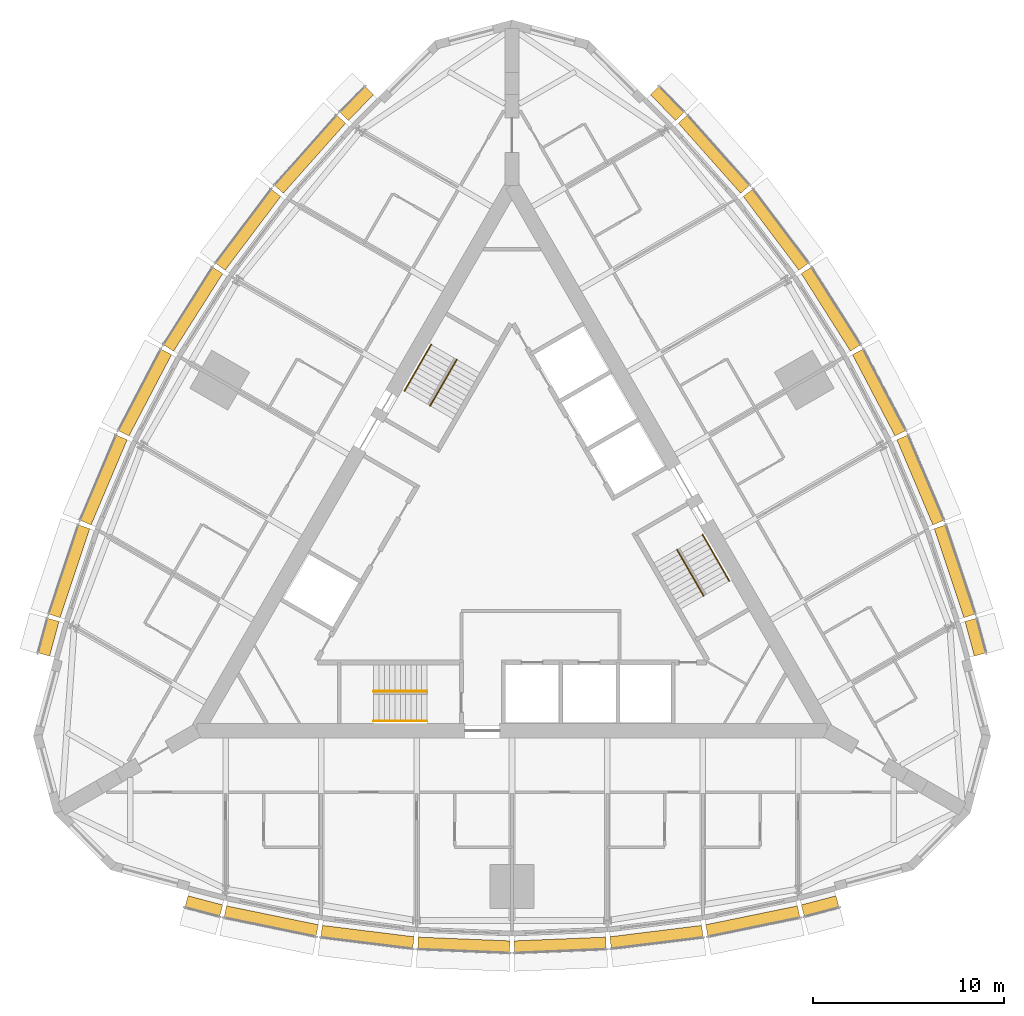
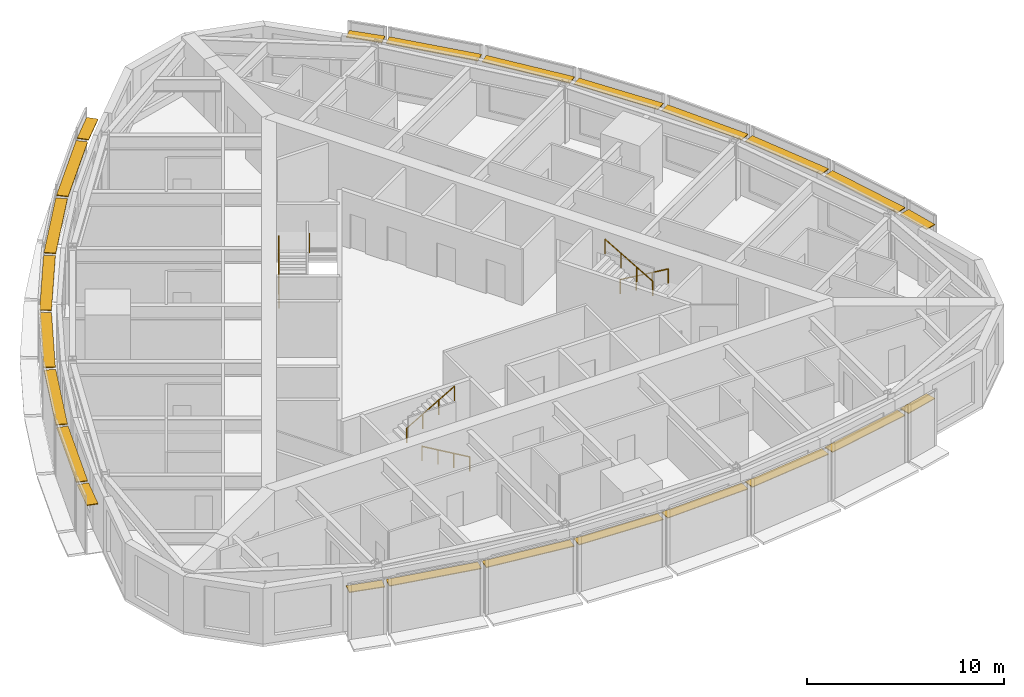
# One storey, part 15 of 15: 24 shading devices, 6 railings.
"""IFC4 building model written with IfcOpenShell, lengths in metres."""

from ifc_helpers import new_model, si_unit, direction, frame, origin, origin_2d, place, context, subcontext, project, spatial, rectangle, circle, extrude, material, type_object, element, save


model = new_model("IFC4")

# Units and contexts
model_context = context("Model", 3, precision=1e-05, world=origin(), true_north=direction((0.0, 1.0)))
body_context = subcontext(model_context, "Body", "Model", "MODEL_VIEW")
ifc_project = project(units=[si_unit("LENGTHUNIT", "METRE"), si_unit("AREAUNIT", "SQUARE_METRE"), si_unit("VOLUMEUNIT", "CUBIC_METRE"), si_unit("PLANEANGLEUNIT", "RADIAN"), si_unit("MASSUNIT", "GRAM", prefix="KILO")], contexts=[model_context])

# Site, building, storey
site_placement = place(None, origin())
site = spatial("IfcSite", under=ifc_project, at=site_placement, CompositionType="ELEMENT")
building_placement = place(site_placement, origin())
building = spatial("IfcBuilding", under=site, at=building_placement, Name="Trikona Tower", CompositionType="ELEMENT")
storey_placement = place(building_placement, frame((0.0, 0.0, 226.10009765625)))
storey = spatial("IfcBuildingStorey", under=building, at=storey_placement, Name="L60", CompositionType="ELEMENT", Elevation=226.10009765625)

# Shading devices
ifc_material_1 = material(Name="Aluminium louvre blade, pale anodised", Category="aluminium")
shading_device_type = type_object("IfcShadingDeviceType", Name="Cavity louvre 600", PredefinedType="USERDEFINED", material=ifc_material_1)
shading_device_1_placement = place(storey_placement, frame((-16.14404296875, -18.707763671875, 2.97509765625), z_axis=(0.0, 0.0, 1.0), x_axis=(0.966993038714, -0.254802792527, 0.0)))
element("IfcShadingDevice", 1, at=shading_device_1_placement, inside=storey, type_object=shading_device_type, Name="Cavity louvre L60-00", ObjectType="LOUVRE", PredefinedType="USERDEFINED", context=body_context, shape_type="SweptSolid", body=[
    extrude(rectangle(XDim=1.87841796875, YDim=0.60009765625, at=origin_2d()), origin(), (0.0, 0.0, 1.0), 0.050048828125),
])
shading_device_2_placement = place(storey_placement, frame((-12.614013671875, -19.492919921875, 2.97509765625), z_axis=(0.0, 0.0, 1.0), x_axis=(0.979457514864, -0.201650629992, 0.0)))
element("IfcShadingDevice", 2, at=shading_device_2_placement, inside=storey, type_object=shading_device_type, Name="Cavity louvre L60-01", ObjectType="LOUVRE", PredefinedType="USERDEFINED", context=body_context, shape_type="SweptSolid", body=[
    extrude(rectangle(XDim=4.914794921875, YDim=0.60009765625, at=origin_2d()), origin(), (0.0, 0.0, 1.0), 0.050048828125),
])
shading_device_3_placement = place(storey_placement, frame((-7.5693359375, -20.323974609375, 2.97509765625), z_axis=(0.0, 0.0, 1.0), x_axis=(0.992455266199, -0.122607277901, 0.0)))
element("IfcShadingDevice", 3, at=shading_device_3_placement, inside=storey, type_object=shading_device_type, Name="Cavity louvre L60-02", ObjectType="LOUVRE", PredefinedType="USERDEFINED", context=body_context, shape_type="SweptSolid", body=[
    extrude(rectangle(XDim=4.847900390625, YDim=0.60009765625, at=origin_2d()), origin(), (0.0, 0.0, 1.0), 0.050048828125),
])
for number, where, z_axis, x_axis, name in (
    (4, (-2.523193359375, -20.739501953125, 2.97509765625), (0.0, 0.0, 1.0), (0.999153186307, -0.041144991109, 0.0), "Cavity louvre L60-03"),
    (5, (2.523193359375, -20.739501953125, 2.97509765625), (0.0, 0.0, 1.0), (0.999153186307, 0.041144991109, 0.0), "Cavity louvre L60-04"),
):
    element("IfcShadingDevice", number, at=place(storey_placement, frame(where, z_axis=z_axis, x_axis=x_axis)), inside=storey, type_object=shading_device_type, Name=name, ObjectType="LOUVRE", PredefinedType="USERDEFINED", context=body_context, shape_type="SweptSolid", body=[
        extrude(rectangle(XDim=4.814208984375, YDim=0.60009765625, at=origin_2d()), origin(), (0.0, 0.0, 1.0), 0.050048828125),
    ])
shading_device_4_placement = place(storey_placement, frame((7.5693359375, -20.323974609375, 2.97509765625), z_axis=(0.0, 0.0, 1.0), x_axis=(0.992455266199, 0.122607277901, 0.0)))
element("IfcShadingDevice", 6, at=shading_device_4_placement, inside=storey, type_object=shading_device_type, Name="Cavity louvre L60-05", ObjectType="LOUVRE", PredefinedType="USERDEFINED", context=body_context, shape_type="SweptSolid", body=[
    extrude(rectangle(XDim=4.847900390625, YDim=0.60009765625, at=origin_2d()), origin(), (0.0, 0.0, 1.0), 0.050048828125),
])
shading_device_5_placement = place(storey_placement, frame((12.614013671875, -19.492919921875, 2.97509765625), z_axis=(0.0, 0.0, 1.0), x_axis=(0.979457514864, 0.201650629992, 0.0)))
element("IfcShadingDevice", 7, at=shading_device_5_placement, inside=storey, type_object=shading_device_type, Name="Cavity louvre L60-06", ObjectType="LOUVRE", PredefinedType="USERDEFINED", context=body_context, shape_type="SweptSolid", body=[
    extrude(rectangle(XDim=4.914794921875, YDim=0.60009765625, at=origin_2d()), origin(), (0.0, 0.0, 1.0), 0.050048828125),
])
for number, where, z_axis, x_axis, name in (
    (8, (16.14404296875, -18.707763671875, 2.97509765625), (0.0, 0.0, 1.0), (0.966993038714, 0.254802792527, 0.0), "Cavity louvre L60-07"),
    (9, (24.273193359375, -4.627197265625, 2.97509765625), (0.0, 0.0, 1.0), (-0.262822408229, 0.964844226667, 0.0), "Cavity louvre L60-12"),
):
    element("IfcShadingDevice", number, at=place(storey_placement, frame(where, z_axis=z_axis, x_axis=x_axis)), inside=storey, type_object=shading_device_type, Name=name, ObjectType="LOUVRE", PredefinedType="USERDEFINED", context=body_context, shape_type="SweptSolid", body=[
        extrude(rectangle(XDim=1.87841796875, YDim=0.60009765625, at=origin_2d()), origin(), (0.0, 0.0, 1.0), 0.050048828125),
    ])
shading_device_6_placement = place(storey_placement, frame((23.1884765625, -1.177490234375, 2.97509765625), z_axis=(0.0, 0.0, 1.0), x_axis=(-0.315092532747, 0.949060954737, 0.0)))
element("IfcShadingDevice", 10, at=shading_device_6_placement, inside=storey, type_object=shading_device_type, Name="Cavity louvre L60-13", ObjectType="LOUVRE", PredefinedType="USERDEFINED", context=body_context, shape_type="SweptSolid", body=[
    extrude(rectangle(XDim=4.914794921875, YDim=0.60009765625, at=origin_2d()), origin(), (0.0, 0.0, 1.0), 0.050048828125),
])
shading_device_7_placement = place(storey_placement, frame((21.385498046875, 3.606689453125, 2.97509765625), z_axis=(0.0, 0.0, 1.0), x_axis=(-0.390051437015, 0.920793069306, 0.0)))
element("IfcShadingDevice", 11, at=shading_device_7_placement, inside=storey, type_object=shading_device_type, Name="Cavity louvre L60-14", ObjectType="LOUVRE", PredefinedType="USERDEFINED", context=body_context, shape_type="SweptSolid", body=[
    extrude(rectangle(XDim=4.847900390625, YDim=0.60009765625, at=origin_2d()), origin(), (0.0, 0.0, 1.0), 0.050048828125),
])
for number, where, z_axis, x_axis, name in (
    (12, (19.222412109375, 8.1845703125, 2.97509765625), (0.0, 0.0, 1.0), (-0.463951716224, 0.885860488459, 0.0), "Cavity louvre L60-15"),
    (13, (16.69921875, 12.554931640625, 2.97509765625), (0.0, 0.0, 1.0), (-0.535204777743, 0.844722348397, 0.0), "Cavity louvre L60-16"),
):
    element("IfcShadingDevice", number, at=place(storey_placement, frame(where, z_axis=z_axis, x_axis=x_axis)), inside=storey, type_object=shading_device_type, Name=name, ObjectType="LOUVRE", PredefinedType="USERDEFINED", context=body_context, shape_type="SweptSolid", body=[
        extrude(rectangle(XDim=4.814208984375, YDim=0.60009765625, at=origin_2d()), origin(), (0.0, 0.0, 1.0), 0.050048828125),
    ])
shading_device_8_placement = place(storey_placement, frame((13.81640625, 16.717041015625, 2.97509765625), z_axis=(0.0, 0.0, 1.0), x_axis=(-0.602401684924, 0.798193090674, 0.0)))
element("IfcShadingDevice", 14, at=shading_device_8_placement, inside=storey, type_object=shading_device_type, Name="Cavity louvre L60-17", ObjectType="LOUVRE", PredefinedType="USERDEFINED", context=body_context, shape_type="SweptSolid", body=[
    extrude(rectangle(XDim=4.847900390625, YDim=0.60009765625, at=origin_2d()), origin(), (0.0, 0.0, 1.0), 0.050048828125),
])
shading_device_9_placement = place(storey_placement, frame((10.574462890625, 20.67041015625, 2.97509765625), z_axis=(0.0, 0.0, 1.0), x_axis=(-0.664367239113, 0.747406296196, 0.0)))
element("IfcShadingDevice", 15, at=shading_device_9_placement, inside=storey, type_object=shading_device_type, Name="Cavity louvre L60-18", ObjectType="LOUVRE", PredefinedType="USERDEFINED", context=body_context, shape_type="SweptSolid", body=[
    extrude(rectangle(XDim=4.914794921875, YDim=0.60009765625, at=origin_2d()), origin(), (0.0, 0.0, 1.0), 0.050048828125),
])
for number, where, z_axis, x_axis, name in (
    (16, (8.12939453125, 23.3349609375, 2.97509765625), (0.0, 0.0, 1.0), (-0.704151057285, 0.710050201412, 0.0), "Cavity louvre L60-19"),
    (17, (-8.12939453125, 23.3349609375, 2.97509765625), (0.0, 0.0, 1.0), (-0.704151057285, -0.710050201412, 0.0), "Cavity louvre L60-24"),
):
    element("IfcShadingDevice", number, at=place(storey_placement, frame(where, z_axis=z_axis, x_axis=x_axis)), inside=storey, type_object=shading_device_type, Name=name, ObjectType="LOUVRE", PredefinedType="USERDEFINED", context=body_context, shape_type="SweptSolid", body=[
        extrude(rectangle(XDim=1.87841796875, YDim=0.60009765625, at=origin_2d()), origin(), (0.0, 0.0, 1.0), 0.050048828125),
    ])
shading_device_10_placement = place(storey_placement, frame((-10.574462890625, 20.67041015625, 2.97509765625), z_axis=(0.0, 0.0, 1.0), x_axis=(-0.664367239113, -0.747406296196, 0.0)))
element("IfcShadingDevice", 18, at=shading_device_10_placement, inside=storey, type_object=shading_device_type, Name="Cavity louvre L60-25", ObjectType="LOUVRE", PredefinedType="USERDEFINED", context=body_context, shape_type="SweptSolid", body=[
    extrude(rectangle(XDim=4.914794921875, YDim=0.60009765625, at=origin_2d()), origin(), (0.0, 0.0, 1.0), 0.050048828125),
])
shading_device_11_placement = place(storey_placement, frame((-13.81640625, 16.717041015625, 2.97509765625), z_axis=(0.0, 0.0, 1.0), x_axis=(-0.602401684924, -0.798193090674, 0.0)))
element("IfcShadingDevice", 19, at=shading_device_11_placement, inside=storey, type_object=shading_device_type, Name="Cavity louvre L60-26", ObjectType="LOUVRE", PredefinedType="USERDEFINED", context=body_context, shape_type="SweptSolid", body=[
    extrude(rectangle(XDim=4.847900390625, YDim=0.60009765625, at=origin_2d()), origin(), (0.0, 0.0, 1.0), 0.050048828125),
])
for number, where, z_axis, x_axis, name in (
    (20, (-16.69921875, 12.554931640625, 2.97509765625), (0.0, 0.0, 1.0), (-0.535204777743, -0.844722348397, 0.0), "Cavity louvre L60-27"),
    (21, (-19.222412109375, 8.1845703125, 2.97509765625), (0.0, 0.0, 1.0), (-0.463951716224, -0.885860488459, 0.0), "Cavity louvre L60-28"),
):
    element("IfcShadingDevice", number, at=place(storey_placement, frame(where, z_axis=z_axis, x_axis=x_axis)), inside=storey, type_object=shading_device_type, Name=name, ObjectType="LOUVRE", PredefinedType="USERDEFINED", context=body_context, shape_type="SweptSolid", body=[
        extrude(rectangle(XDim=4.814208984375, YDim=0.60009765625, at=origin_2d()), origin(), (0.0, 0.0, 1.0), 0.050048828125),
    ])
shading_device_12_placement = place(storey_placement, frame((-21.385498046875, 3.606689453125, 2.97509765625), z_axis=(0.0, 0.0, 1.0), x_axis=(-0.390051437015, -0.920793069306, 0.0)))
element("IfcShadingDevice", 22, at=shading_device_12_placement, inside=storey, type_object=shading_device_type, Name="Cavity louvre L60-29", ObjectType="LOUVRE", PredefinedType="USERDEFINED", context=body_context, shape_type="SweptSolid", body=[
    extrude(rectangle(XDim=4.847900390625, YDim=0.60009765625, at=origin_2d()), origin(), (0.0, 0.0, 1.0), 0.050048828125),
])
shading_device_13_placement = place(storey_placement, frame((-23.1884765625, -1.177490234375, 2.97509765625), z_axis=(0.0, 0.0, 1.0), x_axis=(-0.315092532747, -0.949060954737, 0.0)))
element("IfcShadingDevice", 23, at=shading_device_13_placement, inside=storey, type_object=shading_device_type, Name="Cavity louvre L60-30", ObjectType="LOUVRE", PredefinedType="USERDEFINED", context=body_context, shape_type="SweptSolid", body=[
    extrude(rectangle(XDim=4.914794921875, YDim=0.60009765625, at=origin_2d()), origin(), (0.0, 0.0, 1.0), 0.050048828125),
])
shading_device_14_placement = place(storey_placement, frame((-24.273193359375, -4.627197265625, 2.97509765625), z_axis=(0.0, 0.0, 1.0), x_axis=(-0.262822408229, -0.964844226667, 0.0)))
element("IfcShadingDevice", 24, at=shading_device_14_placement, inside=storey, type_object=shading_device_type, Name="Cavity louvre L60-31", ObjectType="LOUVRE", PredefinedType="USERDEFINED", context=body_context, shape_type="SweptSolid", body=[
    extrude(rectangle(XDim=1.87841796875, YDim=0.60009765625, at=origin_2d()), origin(), (0.0, 0.0, 1.0), 0.050048828125),
])

# Railings
ifc_material_2 = material(Name="Stainless steel handrail", Category="steel")
railing_type = type_object("IfcRailingType", Name="Stair handrail", PredefinedType="HANDRAIL", material=ifc_material_2)
railing_1_placement = place(storey_placement, frame((-4.449951171875, -9.016357421875, 0.16357421875)))
element("IfcRailing", 25, at=railing_1_placement, inside=storey, type_object=railing_type, Name="Stair handrail A L60 1", PredefinedType="HANDRAIL", context=body_context, shape_type="SweptSolid", body=[
    extrude(circle(Radius=0.02392578125, at=origin_2d()), frame((0.0, 0.0, 0.8759765625), z_axis=(-0.863393664356, 0.0, 0.504530851732), x_axis=(0.0, -1.0, 0.0)), (0.0, 0.0, 1.0), 3.2431640625),
    extrude(circle(Radius=0.02099609375, at=origin_2d()), origin(), (0.0, 0.0, 1.0), 0.851806640625),
    extrude(circle(Radius=0.02099609375, at=origin_2d()), frame((-0.933349609375, 0.0, 0.54541015625)), (0.0, 0.0, 1.0), 0.851806640625),
    extrude(circle(Radius=0.02099609375, at=origin_2d()), frame((-1.86669921875, 0.0, 1.0908203125)), (0.0, 0.0, 1.0), 0.851806640625),
    extrude(circle(Radius=0.02099609375, at=origin_2d()), frame((-2.800048828125, 0.0, 1.63623046875)), (0.0, 0.0, 1.0), 0.851806640625),
])
railing_2_placement = place(storey_placement, frame((-7.25, -7.46630859375, 1.963623046875)))
element("IfcRailing", 26, at=railing_2_placement, inside=storey, type_object=railing_type, Name="Stair handrail A L60 2", PredefinedType="HANDRAIL", context=body_context, shape_type="SweptSolid", body=[
    extrude(circle(Radius=0.02392578125, at=origin_2d()), frame((0.0, 0.0, 0.8759765625), z_axis=(0.863393664356, 0.0, 0.504530851732), x_axis=(0.0, 1.0, 0.0)), (0.0, 0.0, 1.0), 3.2431640625),
    extrude(circle(Radius=0.02099609375, at=origin_2d()), origin(), (0.0, 0.0, 1.0), 0.851806640625),
    extrude(circle(Radius=0.02099609375, at=origin_2d()), frame((0.933349609375, 0.0, 0.54541015625)), (0.0, 0.0, 1.0), 0.851806640625),
    extrude(circle(Radius=0.02099609375, at=origin_2d()), frame((1.86669921875, 0.0, 1.0908203125)), (0.0, 0.0, 1.0), 0.851806640625),
    extrude(circle(Radius=0.02099609375, at=origin_2d()), frame((2.800048828125, 0.0, 1.63623046875)), (0.0, 0.0, 1.0), 0.851806640625),
])
railing_3_placement = place(storey_placement, frame((9.9833984375, 0.740966796875, 0.16357421875)))
element("IfcRailing", 27, at=railing_3_placement, inside=storey, type_object=railing_type, Name="Stair handrail B L60 1", PredefinedType="HANDRAIL", context=body_context, shape_type="SweptSolid", body=[
    extrude(circle(Radius=0.02392578125, at=origin_2d()), frame((0.0, 0.0, 0.8759765625), z_axis=(0.43165272891, -0.747751404999, 0.504523297725), x_axis=(0.866056369097, 0.49994636267, 0.0)), (0.0, 0.0, 1.0), 3.2431640625),
    extrude(circle(Radius=0.02099609375, at=origin_2d()), origin(), (0.0, 0.0, 1.0), 0.851806640625),
    extrude(circle(Radius=0.02099609375, at=origin_2d()), frame((0.466552734375, -0.808349609375, 0.54541015625)), (0.0, 0.0, 1.0), 0.851806640625),
    extrude(circle(Radius=0.02099609375, at=origin_2d()), frame((0.933349609375, -1.61669921875, 1.0908203125)), (0.0, 0.0, 1.0), 0.851806640625),
    extrude(circle(Radius=0.02099609375, at=origin_2d()), frame((1.39990234375, -2.425048828125, 1.63623046875)), (0.0, 0.0, 1.0), 0.851806640625),
])
railing_4_placement = place(storey_placement, frame((10.041015625, -2.458984375, 1.963623046875)))
element("IfcRailing", 28, at=railing_4_placement, inside=storey, type_object=railing_type, Name="Stair handrail B L60 2", PredefinedType="HANDRAIL", context=body_context, shape_type="SweptSolid", body=[
    extrude(circle(Radius=0.02392578125, at=origin_2d()), frame((0.0, 0.0, 0.8759765625), z_axis=(-0.43165272891, 0.747751404999, 0.504523297725), x_axis=(-0.866056369097, -0.49994636267, 0.0)), (0.0, 0.0, 1.0), 3.2431640625),
    extrude(circle(Radius=0.02099609375, at=origin_2d()), origin(), (0.0, 0.0, 1.0), 0.851806640625),
    extrude(circle(Radius=0.02099609375, at=origin_2d()), frame((-0.466552734375, 0.808349609375, 0.54541015625)), (0.0, 0.0, 1.0), 0.851806640625),
    extrude(circle(Radius=0.02099609375, at=origin_2d()), frame((-0.933349609375, 1.61669921875, 1.0908203125)), (0.0, 0.0, 1.0), 0.851806640625),
    extrude(circle(Radius=0.02099609375, at=origin_2d()), frame((-1.39990234375, 2.425048828125, 1.63623046875)), (0.0, 0.0, 1.0), 0.851806640625),
])
railing_5_placement = place(storey_placement, frame((-5.63330078125, 8.275390625, 0.16357421875)))
element("IfcRailing", 29, at=railing_5_placement, inside=storey, type_object=railing_type, Name="Stair handrail C L60 1", PredefinedType="HANDRAIL", context=body_context, shape_type="SweptSolid", body=[
    extrude(circle(Radius=0.02392578125, at=origin_2d()), frame((0.0, 0.0, 0.8759765625), z_axis=(0.431677027627, 0.74771821388, 0.504551698492), x_axis=(-0.866034573852, 0.49998411664, 0.0)), (0.0, 0.0, 1.0), 3.242919921875),
    extrude(circle(Radius=0.02099609375, at=origin_2d()), origin(), (0.0, 0.0, 1.0), 0.851806640625),
    extrude(circle(Radius=0.02099609375, at=origin_2d()), frame((0.466552734375, 0.808349609375, 0.54541015625)), (0.0, 0.0, 1.0), 0.851806640625),
    extrude(circle(Radius=0.02099609375, at=origin_2d()), frame((0.933349609375, 1.616455078125, 1.0908203125)), (0.0, 0.0, 1.0), 0.851806640625),
    extrude(circle(Radius=0.02099609375, at=origin_2d()), frame((1.39990234375, 2.4248046875, 1.63623046875)), (0.0, 0.0, 1.0), 0.851806640625),
])
railing_6_placement = place(storey_placement, frame((-2.89111328125, 9.92529296875, 1.963623046875)))
element("IfcRailing", 30, at=railing_6_placement, inside=storey, type_object=railing_type, Name="Stair handrail C L60 2", PredefinedType="HANDRAIL", context=body_context, shape_type="SweptSolid", body=[
    extrude(circle(Radius=0.02392578125, at=origin_2d()), frame((0.0, 0.0, 0.8759765625), z_axis=(-0.43165272891, -0.747751404999, 0.504523297725), x_axis=(0.866056369097, -0.49994636267, 0.0)), (0.0, 0.0, 1.0), 3.2431640625),
    extrude(circle(Radius=0.02099609375, at=origin_2d()), origin(), (0.0, 0.0, 1.0), 0.851806640625),
    extrude(circle(Radius=0.02099609375, at=origin_2d()), frame((-0.466552734375, -0.808349609375, 0.54541015625)), (0.0, 0.0, 1.0), 0.851806640625),
    extrude(circle(Radius=0.02099609375, at=origin_2d()), frame((-0.933349609375, -1.61669921875, 1.0908203125)), (0.0, 0.0, 1.0), 0.851806640625),
    extrude(circle(Radius=0.02099609375, at=origin_2d()), frame((-1.39990234375, -2.425048828125, 1.63623046875)), (0.0, 0.0, 1.0), 0.851806640625),
])

save(model, "model.ifc")
